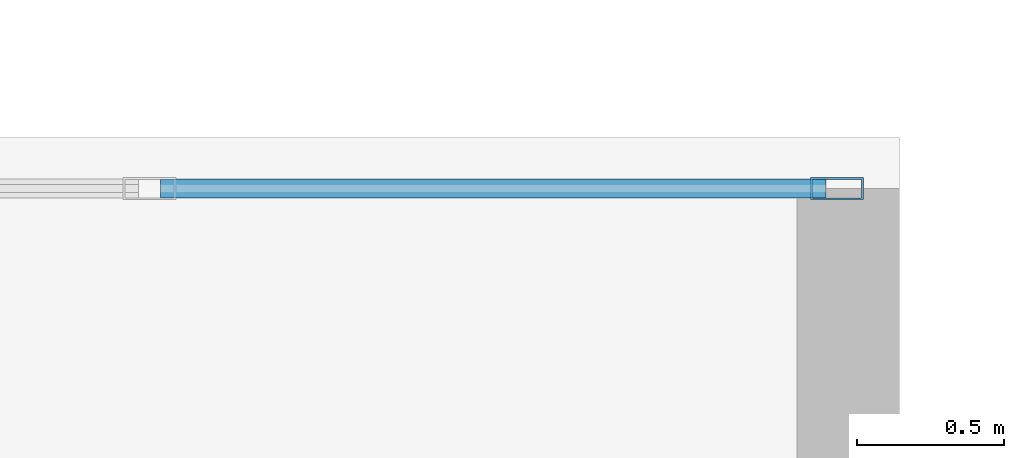
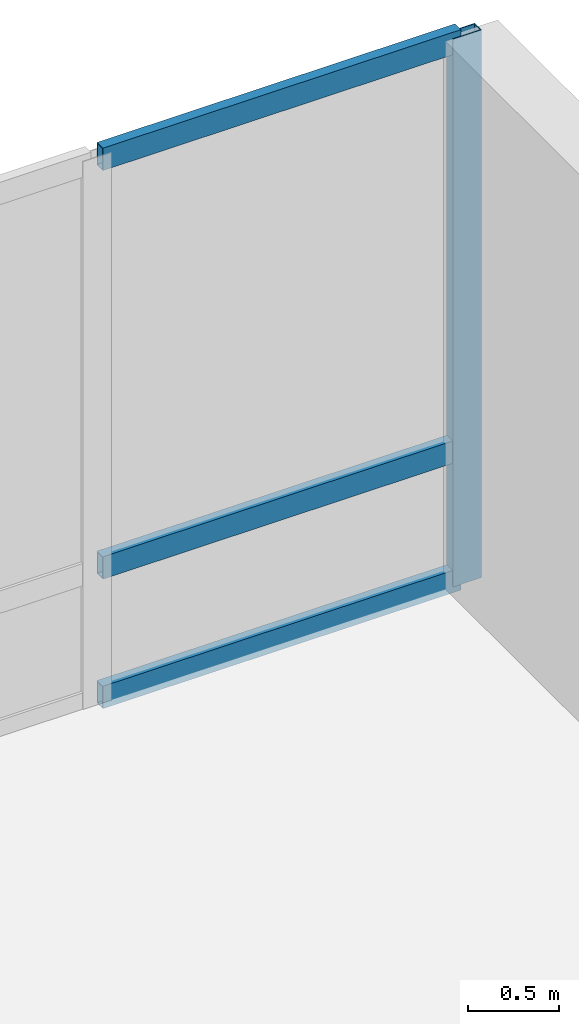
# One storey, part 4 of 17: 4 members, 1 element without a shape of its own.
"""IFC4 building model written with IfcOpenShell, lengths in metres."""

from ifc_helpers import new_model, si_unit, direction, frame, origin, origin_2d, place, context, subcontext, project, spatial, hollow_rectangle, extrude, material, layer, layer_set, material_profile, profile_set, type_object, element, aggregate, save


model = new_model("IFC4")

# Units and contexts
model_context = context("Model", 3, precision=1e-05, world=origin(), true_north=direction((0.0, 1.0)))
body_context = subcontext(model_context, "Body", "Model", "MODEL_VIEW")
ifc_project = project(units=[si_unit("LENGTHUNIT", "METRE"), si_unit("AREAUNIT", "SQUARE_METRE"), si_unit("VOLUMEUNIT", "CUBIC_METRE"), si_unit("PLANEANGLEUNIT", "RADIAN"), si_unit("MASSUNIT", "GRAM", prefix="KILO")], contexts=[model_context])

# Site, building, storey
site_placement = place(None, origin())
site = spatial("IfcSite", under=ifc_project, at=site_placement, CompositionType="ELEMENT")
building_placement = place(site_placement, origin())
building = spatial("IfcBuilding", under=site, at=building_placement, Name="Koriwani Terraces Tower", CompositionType="ELEMENT")
storey_placement = place(building_placement, frame((0.0, 0.0, 316.39990234375)))
storey = spatial("IfcBuildingStorey", under=building, at=storey_placement, Name="L78", CompositionType="ELEMENT", Elevation=316.39990234375)

# Curtain wall, members
ifc_material = material(Name="Anodised Bronze Aluminium", Category="aluminium")
ifc_layer = layer(ifc_material, 0.18994140625, Name="Anodised Bronze Aluminium")
ifc_layer_set = layer_set([ifc_layer], Name="Anodised Bronze Aluminium")
curtain_wall_type = type_object("IfcCurtainWallType", Name="CW_PENTHOUSE_ZONE5", PredefinedType="NOTDEFINED", material=ifc_layer_set)
curtain_wall_placement = place(storey_placement, origin())
curtain_wall = element("IfcCurtainWall", 1, at=curtain_wall_placement, inside=storey, type_object=curtain_wall_type, Name="L78 Unitised Curtain Wall (N_TIP) Bay 3", PredefinedType="NOTDEFINED")
ifc_material_profile_1 = material_profile(ifc_material, hollow_rectangle(XDim=0.074951171875, YDim=0.179931640625, WallThickness=0.006103515625, at=origin_2d()), Name="Anodised Bronze Aluminium", Category="LoadBearing")
ifc_profile_set_1 = profile_set([ifc_material_profile_1], Name="Anodised Bronze Aluminium")
member_type_1 = type_object("IfcMemberType", Name="CW_MULLION_180X75", PredefinedType="MULLION", material=ifc_profile_set_1)
member_1_placement = place(storey_placement, frame((30.387451171875, 75.425048828125, 0.0), z_axis=(0.0, 0.0, 1.0), x_axis=(0.0, 1.0, 0.0)))
member_1 = element("IfcMember", 2, at=member_1_placement, type_object=member_type_1, Name="CW-Z5 mullion 3", PredefinedType="MULLION", context=body_context, shape_type="SweptSolid", body=[
    extrude(hollow_rectangle(XDim=0.074951171875, YDim=0.179931640625, WallThickness=0.006103515625, at=origin_2d()), origin(), (0.0, 0.0, 1.0), 3.670166015625),
])
ifc_material_profile_2 = material_profile(ifc_material, hollow_rectangle(XDim=0.06494140625, YDim=0.14990234375, WallThickness=0.0048828125, at=origin_2d()), Name="Anodised Bronze Aluminium", Category="LoadBearing")
ifc_profile_set_2 = profile_set([ifc_material_profile_2], Name="Anodised Bronze Aluminium")
member_type_2 = type_object("IfcMemberType", Name="CW_TRANSOM_150X65", PredefinedType="USERDEFINED", material=ifc_profile_set_2)
member_2_placement = place(storey_placement, frame((28.080078125, 75.425048828125, 0.03271484375), z_axis=(1.0, 0.0, 0.0), x_axis=(0.0, 1.0, 0.0)))
member_2 = element("IfcMember", 3, at=member_2_placement, type_object=member_type_2, Name="CW-Z5 transom 2.1", ObjectType="TRANSOM", PredefinedType="USERDEFINED", context=body_context, shape_type="SweptSolid", body=[
    extrude(hollow_rectangle(XDim=0.06494140625, YDim=0.14990234375, WallThickness=0.0048828125, at=origin_2d()), origin(), (0.0, 0.0, 1.0), 2.27001953125),
])
member_3_placement = place(storey_placement, frame((28.080078125, 75.425048828125, 0.900146484375), z_axis=(1.0, 0.0, 0.0), x_axis=(0.0, 1.0, 0.0)))
member_3 = element("IfcMember", 4, at=member_3_placement, type_object=member_type_2, Name="CW-Z5 transom 2.2", ObjectType="TRANSOM", PredefinedType="USERDEFINED", context=body_context, shape_type="SweptSolid", body=[
    extrude(hollow_rectangle(XDim=0.06494140625, YDim=0.14990234375, WallThickness=0.0048828125, at=origin_2d()), origin(), (0.0, 0.0, 1.0), 2.27001953125),
])
member_4_placement = place(storey_placement, frame((28.080078125, 75.425048828125, 3.6376953125), z_axis=(1.0, 0.0, 0.0), x_axis=(0.0, 1.0, 0.0)))
member_4 = element("IfcMember", 5, at=member_4_placement, type_object=member_type_2, Name="CW-Z5 transom 2.3", ObjectType="TRANSOM", PredefinedType="USERDEFINED", context=body_context, shape_type="SweptSolid", body=[
    extrude(hollow_rectangle(XDim=0.06494140625, YDim=0.14990234375, WallThickness=0.0048828125, at=origin_2d()), origin(), (0.0, 0.0, 1.0), 2.27001953125),
])
aggregate(curtain_wall, [member_1, member_2, member_3, member_4])

save(model, "model.ifc")
